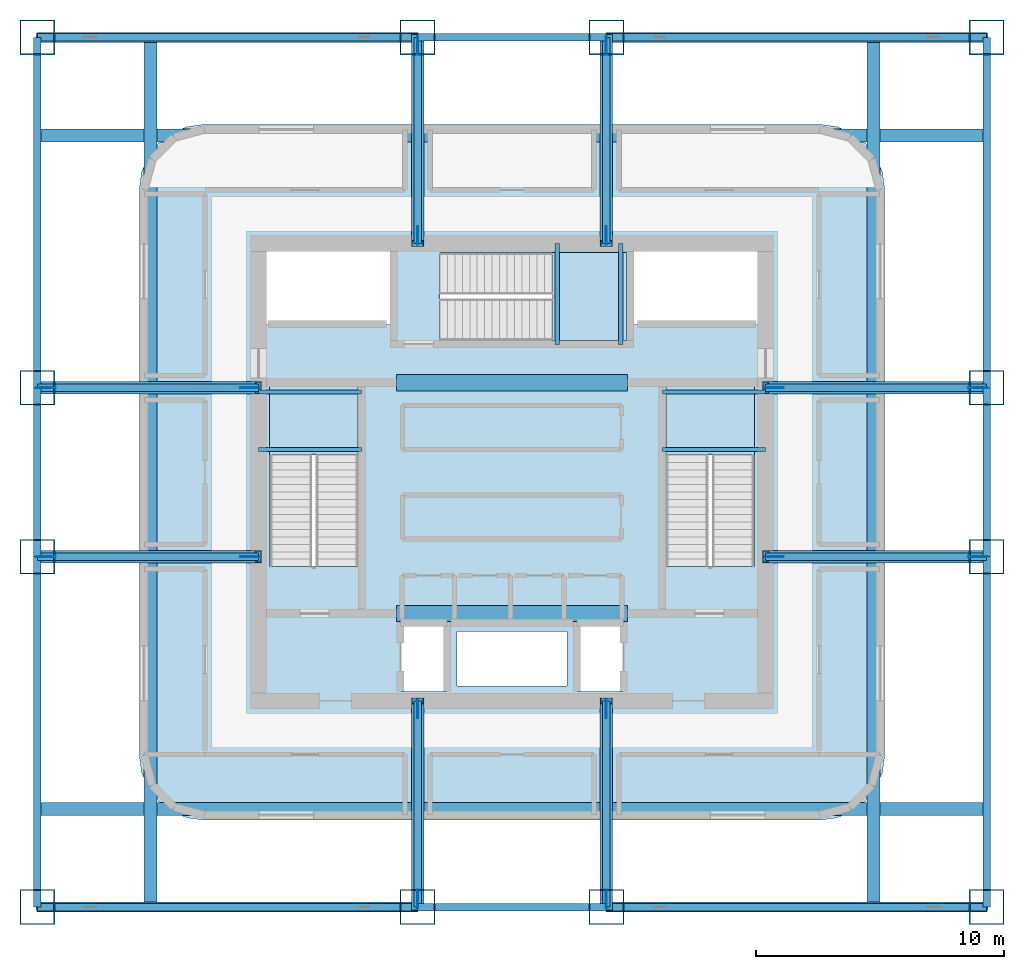
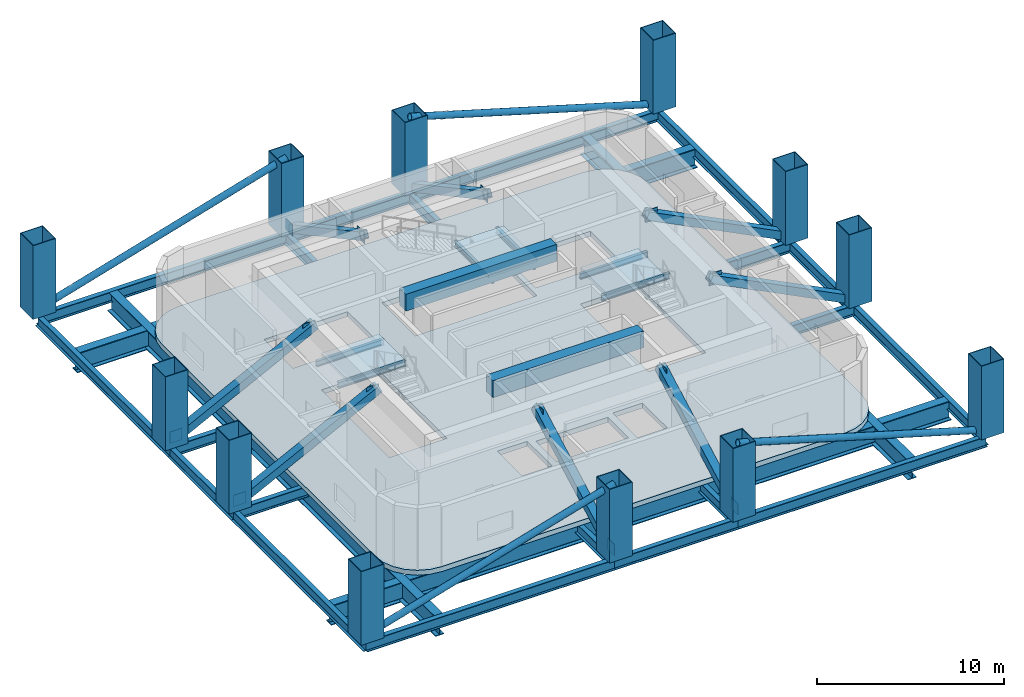
# One storey, part 1 of 9: 32 beams, 16 plates, 12 columns, 12 members, 4 slabs, 3 elements without a shape of their own.
"""IFC4 building model written with IfcOpenShell, lengths in metres."""

from ifc_helpers import new_model, si_unit, direction, frame, origin, origin_2d, place, context, subcontext, project, spatial, polyline, rectangle, hollow_rectangle, hollow_circle, i_section, outline, extrude, material, layer, layer_set, material_profile, profile_set, type_object, element, aggregate, save


model = new_model("IFC4")

# Units and contexts
model_context = context("Model", 3, precision=1e-05, world=origin(), true_north=direction((0.0, 1.0)))
body_context = subcontext(model_context, "Body", "Model", "MODEL_VIEW")
ifc_project = project(units=[si_unit("LENGTHUNIT", "METRE"), si_unit("AREAUNIT", "SQUARE_METRE"), si_unit("VOLUMEUNIT", "CUBIC_METRE"), si_unit("PLANEANGLEUNIT", "RADIAN"), si_unit("MASSUNIT", "GRAM", prefix="KILO")], contexts=[model_context])

# Site, building, storey
site_placement = place(None, origin())
site = spatial("IfcSite", under=ifc_project, at=site_placement, CompositionType="ELEMENT")
building_placement = place(site_placement, origin())
building = spatial("IfcBuilding", under=site, at=building_placement, Name="Punatoya Terracotta Tower", CompositionType="ELEMENT")
storey_placement = place(building_placement, frame((0.0, 0.0, 130.199951171875)))
storey = spatial("IfcBuildingStorey", under=building, at=storey_placement, Name="L30", CompositionType="ELEMENT", Elevation=130.199951171875)

# Columns
ifc_material_1 = material(Name="Steel S460", Category="steel")
ifc_material_profile_1 = material_profile(ifc_material_1, hollow_rectangle(XDim=1.39990234375, YDim=1.39990234375, WallThickness=0.0419921875, at=origin_2d()))
ifc_profile_set_1 = profile_set([ifc_material_profile_1], Name="Steel S460")
column_type = type_object("IfcColumnType", Name="COL-MC-Z2", PredefinedType="COLUMN", material=ifc_profile_set_1)
for number, where, z_axis, x_axis, name in (
    (1, (-19.10009765625, -17.5, 0.0), (0.0, 0.0, 1.0), (1.0, 0.0, 0.0), "L30 Composite Mega-Column MC-01 (3-B)"),
    (2, (-3.800048828125, -17.5, 0.0), (0.0, 0.0, 1.0), (1.0, 0.0, 0.0), "L30 Composite Mega-Column MC-02 (5-B)"),
    (3, (3.800048828125, -17.5, 0.0), (0.0, 0.0, 1.0), (1.0, 0.0, 0.0), "L30 Composite Mega-Column MC-03 (7-B)"),
    (4, (19.10009765625, -17.5, 0.0), (0.0, 0.0, 1.0), (1.0, 0.0, 0.0), "L30 Composite Mega-Column MC-04 (9-B)"),
    (5, (19.10009765625, -3.39990234375, 0.0), (0.0, 0.0, 1.0), (1.0, 0.0, 0.0), "L30 Composite Mega-Column MC-05 (9-D)"),
    (6, (19.10009765625, 3.39990234375, 0.0), (0.0, 0.0, 1.0), (1.0, 0.0, 0.0), "L30 Composite Mega-Column MC-06 (9-E)"),
    (7, (19.10009765625, 17.5, 0.0), (0.0, 0.0, 1.0), (1.0, 0.0, 0.0), "L30 Composite Mega-Column MC-07 (9-G)"),
    (8, (3.800048828125, 17.5, 0.0), (0.0, 0.0, 1.0), (1.0, 0.0, 0.0), "L30 Composite Mega-Column MC-08 (7-G)"),
    (9, (-3.800048828125, 17.5, 0.0), (0.0, 0.0, 1.0), (1.0, 0.0, 0.0), "L30 Composite Mega-Column MC-09 (5-G)"),
    (10, (-19.10009765625, 17.5, 0.0), (0.0, 0.0, 1.0), (1.0, 0.0, 0.0), "L30 Composite Mega-Column MC-10 (3-G)"),
    (11, (-19.10009765625, 3.39990234375, 0.0), (0.0, 0.0, 1.0), (1.0, 0.0, 0.0), "L30 Composite Mega-Column MC-11 (3-E)"),
    (12, (-19.10009765625, -3.39990234375, 0.0), (0.0, 0.0, 1.0), (1.0, 0.0, 0.0), "L30 Composite Mega-Column MC-12 (3-D)"),
):
    element("IfcColumn", number, at=place(storey_placement, frame(where, z_axis=z_axis, x_axis=x_axis)), inside=storey, type_object=column_type, Name=name, PredefinedType="COLUMN", context=body_context, shape_type="SweptSolid", body=[
        extrude(hollow_rectangle(XDim=1.39990234375, YDim=1.39990234375, WallThickness=0.0419921875, at=origin_2d()), origin(), (0.0, 0.0, 1.0), 4.800048828125),
    ])

# Beams
ifc_material_2 = material(Name="Steel S355", Category="steel")
ifc_material_profile_2 = material_profile(ifc_material_2, i_section(OverallWidth=0.300048828125, OverallDepth=0.699951171875, WebThickness=0.01708984375, FlangeThickness=0.031982421875, FilletRadius=0.01806640625, at=origin_2d()))
ifc_profile_set_2 = profile_set([ifc_material_profile_2], Name="Steel S355")
beam_type_1 = type_object("IfcBeamType", Name="BM-PRI-700", PredefinedType="BEAM", material=ifc_profile_set_2)
beam_1_placement = place(storey_placement, frame((-19.10009765625, -17.5, -0.669921875), z_axis=(1.0, 0.0, 0.0), x_axis=(0.0, 1.0, 0.0)))
element("IfcBeam", 13, at=beam_1_placement, inside=storey, type_object=beam_type_1, Name="BM-L30-RG-S1", PredefinedType="BEAM", context=body_context, shape_type="SweptSolid", body=[
    extrude(i_section(OverallWidth=0.300048828125, OverallDepth=0.699951171875, WebThickness=0.01708984375, FlangeThickness=0.031982421875, FilletRadius=0.01806640625, at=origin_2d()), origin(), (0.0, 0.0, 1.0), 15.300048828125),
])
beam_2_placement = place(storey_placement, frame((-3.800048828125, -17.5, -0.669921875), z_axis=(1.0, 0.0, 0.0), x_axis=(0.0, 1.0, 0.0)))
element("IfcBeam", 14, at=beam_2_placement, inside=storey, type_object=beam_type_1, Name="BM-L30-RG-S2", PredefinedType="BEAM", context=body_context, shape_type="SweptSolid", body=[
    extrude(i_section(OverallWidth=0.300048828125, OverallDepth=0.699951171875, WebThickness=0.01708984375, FlangeThickness=0.031982421875, FilletRadius=0.01806640625, at=origin_2d()), origin(), (0.0, 0.0, 1.0), 7.60009765625),
])
for number, where, z_axis, x_axis, name in (
    (15, (3.800048828125, -17.5, -0.669921875), (1.0, 0.0, 0.0), (0.0, 1.0, 0.0), "BM-L30-RG-S3"),
    (16, (-19.10009765625, 17.5, -0.669921875), (1.0, 0.0, 0.0), (0.0, 1.0, 0.0), "BM-L30-RG-N1"),
):
    element("IfcBeam", number, at=place(storey_placement, frame(where, z_axis=z_axis, x_axis=x_axis)), inside=storey, type_object=beam_type_1, Name=name, PredefinedType="BEAM", context=body_context, shape_type="SweptSolid", body=[
        extrude(i_section(OverallWidth=0.300048828125, OverallDepth=0.699951171875, WebThickness=0.01708984375, FlangeThickness=0.031982421875, FilletRadius=0.01806640625, at=origin_2d()), origin(), (0.0, 0.0, 1.0), 15.300048828125),
    ])
beam_3_placement = place(storey_placement, frame((-3.800048828125, 17.5, -0.669921875), z_axis=(1.0, 0.0, 0.0), x_axis=(0.0, 1.0, 0.0)))
element("IfcBeam", 17, at=beam_3_placement, inside=storey, type_object=beam_type_1, Name="BM-L30-RG-N2", PredefinedType="BEAM", context=body_context, shape_type="SweptSolid", body=[
    extrude(i_section(OverallWidth=0.300048828125, OverallDepth=0.699951171875, WebThickness=0.01708984375, FlangeThickness=0.031982421875, FilletRadius=0.01806640625, at=origin_2d()), origin(), (0.0, 0.0, 1.0), 7.60009765625),
])
beam_4_placement = place(storey_placement, frame((3.800048828125, 17.5, -0.669921875), z_axis=(1.0, 0.0, 0.0), x_axis=(0.0, 1.0, 0.0)))
element("IfcBeam", 18, at=beam_4_placement, inside=storey, type_object=beam_type_1, Name="BM-L30-RG-N3", PredefinedType="BEAM", context=body_context, shape_type="SweptSolid", body=[
    extrude(i_section(OverallWidth=0.300048828125, OverallDepth=0.699951171875, WebThickness=0.01708984375, FlangeThickness=0.031982421875, FilletRadius=0.01806640625, at=origin_2d()), origin(), (0.0, 0.0, 1.0), 15.300048828125),
])
beam_5_placement = place(storey_placement, frame((-19.10009765625, -17.5, -0.669921875), z_axis=(0.0, 1.0, 0.0), x_axis=(-1.0, 0.0, 0.0)))
element("IfcBeam", 19, at=beam_5_placement, inside=storey, type_object=beam_type_1, Name="BM-L30-RG-W1", PredefinedType="BEAM", context=body_context, shape_type="SweptSolid", body=[
    extrude(i_section(OverallWidth=0.300048828125, OverallDepth=0.699951171875, WebThickness=0.01708984375, FlangeThickness=0.031982421875, FilletRadius=0.01806640625, at=origin_2d()), origin(), (0.0, 0.0, 1.0), 14.10009765625),
])
beam_6_placement = place(storey_placement, frame((-19.10009765625, -3.39990234375, -0.669921875), z_axis=(0.0, 1.0, 0.0), x_axis=(-1.0, 0.0, 0.0)))
element("IfcBeam", 20, at=beam_6_placement, inside=storey, type_object=beam_type_1, Name="BM-L30-RG-W2", PredefinedType="BEAM", context=body_context, shape_type="SweptSolid", body=[
    extrude(i_section(OverallWidth=0.300048828125, OverallDepth=0.699951171875, WebThickness=0.01708984375, FlangeThickness=0.031982421875, FilletRadius=0.01806640625, at=origin_2d()), origin(), (0.0, 0.0, 1.0), 6.7998046875),
])
for number, where, z_axis, x_axis, name in (
    (21, (-19.10009765625, 3.39990234375, -0.669921875), (0.0, 1.0, 0.0), (-1.0, 0.0, 0.0), "BM-L30-RG-W3"),
    (22, (19.10009765625, -17.5, -0.669921875), (0.0, 1.0, 0.0), (-1.0, 0.0, 0.0), "BM-L30-RG-E1"),
):
    element("IfcBeam", number, at=place(storey_placement, frame(where, z_axis=z_axis, x_axis=x_axis)), inside=storey, type_object=beam_type_1, Name=name, PredefinedType="BEAM", context=body_context, shape_type="SweptSolid", body=[
        extrude(i_section(OverallWidth=0.300048828125, OverallDepth=0.699951171875, WebThickness=0.01708984375, FlangeThickness=0.031982421875, FilletRadius=0.01806640625, at=origin_2d()), origin(), (0.0, 0.0, 1.0), 14.10009765625),
    ])
beam_7_placement = place(storey_placement, frame((19.10009765625, -3.39990234375, -0.669921875), z_axis=(0.0, 1.0, 0.0), x_axis=(-1.0, 0.0, 0.0)))
element("IfcBeam", 23, at=beam_7_placement, inside=storey, type_object=beam_type_1, Name="BM-L30-RG-E2", PredefinedType="BEAM", context=body_context, shape_type="SweptSolid", body=[
    extrude(i_section(OverallWidth=0.300048828125, OverallDepth=0.699951171875, WebThickness=0.01708984375, FlangeThickness=0.031982421875, FilletRadius=0.01806640625, at=origin_2d()), origin(), (0.0, 0.0, 1.0), 6.7998046875),
])
beam_8_placement = place(storey_placement, frame((19.10009765625, 3.39990234375, -0.669921875), z_axis=(0.0, 1.0, 0.0), x_axis=(-1.0, 0.0, 0.0)))
element("IfcBeam", 24, at=beam_8_placement, inside=storey, type_object=beam_type_1, Name="BM-L30-RG-E3", PredefinedType="BEAM", context=body_context, shape_type="SweptSolid", body=[
    extrude(i_section(OverallWidth=0.300048828125, OverallDepth=0.699951171875, WebThickness=0.01708984375, FlangeThickness=0.031982421875, FilletRadius=0.01806640625, at=origin_2d()), origin(), (0.0, 0.0, 1.0), 14.10009765625),
])
for number, where, z_axis, x_axis, name in (
    (25, (-19.10009765625, -3.39990234375, -0.669921875), (1.0, 0.0, 0.0), (0.0, 1.0, 0.0), "BM-L30-PR-WD"),
    (26, (-19.10009765625, 3.39990234375, -0.669921875), (1.0, 0.0, 0.0), (0.0, 1.0, 0.0), "BM-L30-PR-WE"),
    (27, (10.199951171875, -3.39990234375, -0.669921875), (1.0, 0.0, 0.0), (0.0, 1.0, 0.0), "BM-L30-PR-ED"),
    (28, (10.199951171875, 3.39990234375, -0.669921875), (1.0, 0.0, 0.0), (0.0, 1.0, 0.0), "BM-L30-PR-EE"),
):
    element("IfcBeam", number, at=place(storey_placement, frame(where, z_axis=z_axis, x_axis=x_axis)), inside=storey, type_object=beam_type_1, Name=name, PredefinedType="BEAM", context=body_context, shape_type="SweptSolid", body=[
        extrude(i_section(OverallWidth=0.300048828125, OverallDepth=0.699951171875, WebThickness=0.01708984375, FlangeThickness=0.031982421875, FilletRadius=0.01806640625, at=origin_2d()), origin(), (0.0, 0.0, 1.0), 8.900146484375),
    ])
for number, where, z_axis, x_axis, name in (
    (29, (-3.800048828125, -17.5, -0.669921875), (0.0, 1.0, 0.0), (-1.0, 0.0, 0.0), "BM-L30-PR-S2"),
    (30, (3.800048828125, -17.5, -0.669921875), (0.0, 1.0, 0.0), (-1.0, 0.0, 0.0), "BM-L30-PR-S3"),
    (31, (-3.800048828125, 9.199951171875, -0.669921875), (0.0, 1.0, 0.0), (-1.0, 0.0, 0.0), "BM-L30-PR-N2"),
    (32, (3.800048828125, 9.199951171875, -0.669921875), (0.0, 1.0, 0.0), (-1.0, 0.0, 0.0), "BM-L30-PR-N3"),
):
    element("IfcBeam", number, at=place(storey_placement, frame(where, z_axis=z_axis, x_axis=x_axis)), inside=storey, type_object=beam_type_1, Name=name, PredefinedType="BEAM", context=body_context, shape_type="SweptSolid", body=[
        extrude(i_section(OverallWidth=0.300048828125, OverallDepth=0.699951171875, WebThickness=0.01708984375, FlangeThickness=0.031982421875, FilletRadius=0.01806640625, at=origin_2d()), origin(), (0.0, 0.0, 1.0), 8.300048828125),
    ])
ifc_material_3 = material(Name="Concrete C60/75", Category="concrete")
ifc_material_profile_3 = material_profile(ifc_material_3, rectangle(XDim=0.64990234375, YDim=1.10009765625, at=origin_2d()))
ifc_profile_set_3 = profile_set([ifc_material_profile_3], Name="Concrete C60/75")
beam_type_2 = type_object("IfcBeamType", Name="BM-RC-1100", PredefinedType="LINTEL", material=ifc_profile_set_3)
for number, where, z_axis, x_axis, name in (
    (33, (-4.64990234375, -5.679931640625, 3.989990234375), (1.0, 0.0, 0.0), (0.0, 1.0, 0.0), "L30 Core Coupling Lintel CSW"),
    (34, (-4.64990234375, 3.60009765625, 3.989990234375), (1.0, 0.0, 0.0), (0.0, 1.0, 0.0), "L30 Core Coupling Lintel CNW"),
):
    element("IfcBeam", number, at=place(storey_placement, frame(where, z_axis=z_axis, x_axis=x_axis)), inside=storey, type_object=beam_type_2, Name=name, PredefinedType="LINTEL", context=body_context, shape_type="SweptSolid", body=[
        extrude(rectangle(XDim=0.64990234375, YDim=1.10009765625, at=origin_2d()), origin(), (0.0, 0.0, 1.0), 9.2998046875),
    ])
ifc_material_profile_4 = material_profile(ifc_material_2, i_section(OverallWidth=0.169921875, OverallDepth=0.360107421875, WebThickness=0.008056640625, FlangeThickness=0.0126953125, FilletRadius=0.01806640625, at=origin_2d()))
ifc_profile_set_4 = profile_set([ifc_material_profile_4], Name="Steel S355")
beam_type_3 = type_object("IfcBeamType", Name="BM-SEC-360", PredefinedType="JOIST", material=ifc_profile_set_4)
for number, where, z_axis, x_axis, name in (
    (35, (-10.199951171875, 0.919921875, 2.02001953125), (1.0, 0.0, 0.0), (0.0, 1.0, 0.0), "BM-L30-ST-1-LD1A"),
    (36, (-10.199951171875, 3.22998046875, 2.02001953125), (1.0, 0.0, 0.0), (0.0, 1.0, 0.0), "BM-L30-ST-1-LD1B"),
    (37, (6.050048828125, 0.919921875, 2.02001953125), (1.0, 0.0, 0.0), (0.0, 1.0, 0.0), "BM-L30-ST-2-LD1A"),
    (38, (6.050048828125, 3.22998046875, 2.02001953125), (1.0, 0.0, 0.0), (0.0, 1.0, 0.0), "BM-L30-ST-2-LD1B"),
):
    element("IfcBeam", number, at=place(storey_placement, frame(where, z_axis=z_axis, x_axis=x_axis)), inside=storey, type_object=beam_type_3, Name=name, PredefinedType="JOIST", context=body_context, shape_type="SweptSolid", body=[
        extrude(i_section(OverallWidth=0.169921875, OverallDepth=0.360107421875, WebThickness=0.008056640625, FlangeThickness=0.0126953125, FilletRadius=0.01806640625, at=origin_2d()), origin(), (0.0, 0.0, 1.0), 4.14990234375),
    ])
for number, where, z_axis, x_axis, name in (
    (39, (1.820068359375, 5.14990234375, 2.02001953125), (0.0, 1.0, 0.0), (-1.0, 0.0, 0.0), "BM-L30-ST-3-LD1A"),
    (40, (4.3798828125, 5.14990234375, 2.02001953125), (0.0, 1.0, 0.0), (-1.0, 0.0, 0.0), "BM-L30-ST-3-LD1B"),
):
    element("IfcBeam", number, at=place(storey_placement, frame(where, z_axis=z_axis, x_axis=x_axis)), inside=storey, type_object=beam_type_3, Name=name, PredefinedType="JOIST", context=body_context, shape_type="SweptSolid", body=[
        extrude(i_section(OverallWidth=0.169921875, OverallDepth=0.360107421875, WebThickness=0.008056640625, FlangeThickness=0.0126953125, FilletRadius=0.01806640625, at=origin_2d()), origin(), (0.0, 0.0, 1.0), 4.050048828125),
    ])
ifc_material_profile_5 = material_profile(ifc_material_1, i_section(OverallWidth=0.52001953125, OverallDepth=1.280029296875, WebThickness=0.031982421875, FlangeThickness=0.050048828125, FilletRadius=0.01806640625, at=origin_2d()))
ifc_profile_set_5 = profile_set([ifc_material_profile_5], Name="Steel S460")
beam_type_4 = type_object("IfcBeamType", Name="BM-TG-NCK", PredefinedType="BEAM", material=ifc_profile_set_5)
for number, where, z_axis, x_axis, name in (
    (41, (-19.10009765625, -13.550048828125, -0.9599609375), (1.0, 0.0, 0.0), (0.0, 1.0, 0.0), "BM-L30-NCK-S"),
    (42, (-19.10009765625, 13.550048828125, -0.9599609375), (1.0, 0.0, 0.0), (0.0, 1.0, 0.0), "BM-L30-NCK-N"),
):
    element("IfcBeam", number, at=place(storey_placement, frame(where, z_axis=z_axis, x_axis=x_axis)), inside=storey, type_object=beam_type_4, Name=name, PredefinedType="BEAM", context=body_context, shape_type="SweptSolid", body=[
        extrude(i_section(OverallWidth=0.52001953125, OverallDepth=1.280029296875, WebThickness=0.031982421875, FlangeThickness=0.050048828125, FilletRadius=0.01806640625, at=origin_2d()), origin(), (0.0, 0.0, 1.0), 38.2001953125),
    ])
for number, where, z_axis, x_axis, name in (
    (43, (-14.550048828125, -17.5, -0.9599609375), (0.0, 1.0, 0.0), (-1.0, 0.0, 0.0), "BM-L30-NCK-W"),
    (44, (14.550048828125, -17.5, -0.9599609375), (0.0, 1.0, 0.0), (-1.0, 0.0, 0.0), "BM-L30-NCK-E"),
):
    element("IfcBeam", number, at=place(storey_placement, frame(where, z_axis=z_axis, x_axis=x_axis)), inside=storey, type_object=beam_type_4, Name=name, PredefinedType="BEAM", context=body_context, shape_type="SweptSolid", body=[
        extrude(i_section(OverallWidth=0.52001953125, OverallDepth=1.280029296875, WebThickness=0.031982421875, FlangeThickness=0.050048828125, FilletRadius=0.01806640625, at=origin_2d()), origin(), (0.0, 0.0, 1.0), 35.0),
    ])

# Members
ifc_material_profile_6 = material_profile(ifc_material_1, hollow_circle(Radius=0.202880859375, WallThickness=0.02001953125, at=origin_2d()))
ifc_profile_set_6 = profile_set([ifc_material_profile_6], Name="Steel S460")
member_type_1 = type_object("IfcMemberType", Name="MEM-NCK-CHS", PredefinedType="STRUT", material=ifc_profile_set_6)
for number, where, z_axis, x_axis, name in (
    (45, (-19.10009765625, -17.5, 0.02001953125), (0.959365745336, 0.0, 0.28216549519), (0.0, 1.0, 0.0), "L30 Baradari Colonnade Ring Strut NST-1"),
    (46, (3.800048828125, -17.5, 4.52001953125), (0.959365745336, 0.0, -0.28216549519), (0.0, 1.0, 0.0), "L30 Baradari Colonnade Ring Strut NST-2"),
    (47, (-19.10009765625, 17.5, 0.02001953125), (0.959365745336, 0.0, 0.28216549519), (0.0, 1.0, 0.0), "L30 Baradari Colonnade Ring Strut NST-3"),
    (48, (3.800048828125, 17.5, 4.52001953125), (0.959365745336, 0.0, -0.28216549519), (0.0, 1.0, 0.0), "L30 Baradari Colonnade Ring Strut NST-4"),
):
    element("IfcMember", number, at=place(storey_placement, frame(where, z_axis=z_axis, x_axis=x_axis)), inside=storey, type_object=member_type_1, Name=name, PredefinedType="STRUT", context=body_context, shape_type="SweptSolid", body=[
        extrude(hollow_circle(Radius=0.202880859375, WallThickness=0.02001953125, at=origin_2d()), origin(), (0.0, 0.0, 1.0), 15.947998046875),
    ])
ifc_material_profile_7 = material_profile(ifc_material_1, hollow_rectangle(XDim=0.5, YDim=0.5, WallThickness=0.028076171875, at=origin_2d()))
ifc_profile_set_7 = profile_set([ifc_material_profile_7], Name="Steel S460")
member_type_2 = type_object("IfcMemberType", Name="MEM-OUT-500", PredefinedType="BRACE", material=ifc_profile_set_7)
for number, where, z_axis, x_axis, name in (
    (49, (-10.199951171875, -3.39990234375, 4.52001953125), (-0.892415766593, 0.0, -0.451214028524), (0.0, -1.0, 0.0), "L30 Outrigger Truss Diagonal WS"),
    (50, (-10.199951171875, 3.39990234375, 4.52001953125), (-0.892415766593, 0.0, -0.451214028524), (0.0, -1.0, 0.0), "L30 Outrigger Truss Diagonal WN"),
    (51, (10.199951171875, -3.39990234375, 4.52001953125), (0.892415766593, 0.0, -0.451214028524), (0.0, 1.0, 0.0), "L30 Outrigger Truss Diagonal ES"),
    (52, (10.199951171875, 3.39990234375, 4.52001953125), (0.892415766593, 0.0, -0.451214028524), (0.0, 1.0, 0.0), "L30 Outrigger Truss Diagonal EN"),
):
    element("IfcMember", number, at=place(storey_placement, frame(where, z_axis=z_axis, x_axis=x_axis)), inside=storey, type_object=member_type_2, Name=name, PredefinedType="BRACE", context=body_context, shape_type="SweptSolid", body=[
        extrude(hollow_rectangle(XDim=0.5, YDim=0.5, WallThickness=0.028076171875, at=origin_2d()), origin(), (0.0, 0.0, 1.0), 9.97314453125),
    ])
for number, where, z_axis, x_axis, name in (
    (53, (-3.800048828125, -9.199951171875, 4.52001953125), (0.0, -0.879108254421, -0.476622153292), (1.0, 0.0, 0.0), "L30 Outrigger Truss Diagonal SW"),
    (54, (3.800048828125, -9.199951171875, 4.52001953125), (0.0, -0.879108254421, -0.476622153292), (1.0, 0.0, 0.0), "L30 Outrigger Truss Diagonal SE"),
    (55, (-3.800048828125, 9.199951171875, 4.52001953125), (0.0, 0.879108254421, -0.476622153292), (-1.0, 0.0, 0.0), "L30 Outrigger Truss Diagonal NW"),
    (56, (3.800048828125, 9.199951171875, 4.52001953125), (0.0, 0.879108254421, -0.476622153292), (-1.0, 0.0, 0.0), "L30 Outrigger Truss Diagonal NE"),
):
    element("IfcMember", number, at=place(storey_placement, frame(where, z_axis=z_axis, x_axis=x_axis)), inside=storey, type_object=member_type_2, Name=name, PredefinedType="BRACE", context=body_context, shape_type="SweptSolid", body=[
        extrude(hollow_rectangle(XDim=0.5, YDim=0.5, WallThickness=0.028076171875, at=origin_2d()), origin(), (0.0, 0.0, 1.0), 9.44140625),
    ])

# Plates
ifc_layer_1 = layer(ifc_material_1, 0.035888671875)
ifc_layer_set_1 = layer_set([ifc_layer_1], Name="Steel S460")
plate_type = type_object("IfcPlateType", Name="PLT-GUS-36", PredefinedType="USERDEFINED", material=ifc_layer_set_1)
for number, where, z_axis, x_axis, name in (
    (57, (-10.555908203125, -3.39990234375, 3.965087890625), (0.0, 0.0, 1.0), (1.0, 0.0, 0.0), "L30 Outrigger Core Gusset Plate WS"),
    (58, (-18.743896484375, -3.39990234375, -0.175048828125), (0.0, 0.0, 1.0), (1.0, 0.0, 0.0), "L30 Outrigger Mega-Column Gusset Plate WS"),
    (59, (-10.555908203125, 3.39990234375, 3.965087890625), (0.0, 0.0, 1.0), (1.0, 0.0, 0.0), "L30 Outrigger Core Gusset Plate WN"),
    (60, (-18.743896484375, 3.39990234375, -0.175048828125), (0.0, 0.0, 1.0), (1.0, 0.0, 0.0), "L30 Outrigger Mega-Column Gusset Plate WN"),
    (61, (10.555908203125, -3.39990234375, 3.965087890625), (0.0, 0.0, 1.0), (1.0, 0.0, 0.0), "L30 Outrigger Core Gusset Plate ES"),
    (62, (18.743896484375, -3.39990234375, -0.175048828125), (0.0, 0.0, 1.0), (1.0, 0.0, 0.0), "L30 Outrigger Mega-Column Gusset Plate ES"),
    (63, (10.555908203125, 3.39990234375, 3.965087890625), (0.0, 0.0, 1.0), (1.0, 0.0, 0.0), "L30 Outrigger Core Gusset Plate EN"),
    (64, (18.743896484375, 3.39990234375, -0.175048828125), (0.0, 0.0, 1.0), (1.0, 0.0, 0.0), "L30 Outrigger Mega-Column Gusset Plate EN"),
    (65, (-3.800048828125, -9.531982421875, 3.965087890625), (0.0, 0.0, 1.0), (0.0, 1.0, 0.0), "L30 Outrigger Core Gusset Plate SW"),
    (66, (-3.800048828125, -17.16796875, -0.175048828125), (0.0, 0.0, 1.0), (0.0, 1.0, 0.0), "L30 Outrigger Mega-Column Gusset Plate SW"),
    (67, (3.800048828125, -9.531982421875, 3.965087890625), (0.0, 0.0, 1.0), (0.0, 1.0, 0.0), "L30 Outrigger Core Gusset Plate SE"),
    (68, (3.800048828125, -17.16796875, -0.175048828125), (0.0, 0.0, 1.0), (0.0, 1.0, 0.0), "L30 Outrigger Mega-Column Gusset Plate SE"),
    (69, (-3.800048828125, 9.531982421875, 3.965087890625), (0.0, 0.0, 1.0), (0.0, 1.0, 0.0), "L30 Outrigger Core Gusset Plate NW"),
    (70, (-3.800048828125, 17.16796875, -0.175048828125), (0.0, 0.0, 1.0), (0.0, 1.0, 0.0), "L30 Outrigger Mega-Column Gusset Plate NW"),
    (71, (3.800048828125, 9.531982421875, 3.965087890625), (0.0, 0.0, 1.0), (0.0, 1.0, 0.0), "L30 Outrigger Core Gusset Plate NE"),
    (72, (3.800048828125, 17.16796875, -0.175048828125), (0.0, 0.0, 1.0), (0.0, 1.0, 0.0), "L30 Outrigger Mega-Column Gusset Plate NE"),
):
    element("IfcPlate", number, at=place(storey_placement, frame(where, z_axis=z_axis, x_axis=x_axis)), inside=storey, type_object=plate_type, Name=name, ObjectType="GUSSET_PLATE", PredefinedType="USERDEFINED", context=body_context, shape_type="SweptSolid", body=[
        extrude(rectangle(XDim=0.75, YDim=0.035888671875, at=origin_2d()), origin(), (0.0, 0.0, 1.0), 0.75),
    ])

# Stair, slab
ifc_material_4 = material(Name="Concrete C40/50", Category="concrete")
stair_type_1 = type_object("IfcStairType", Name="STR-TER-1450", PredefinedType="HALF_TURN_STAIR", material=ifc_material_4)
stair_1_placement = place(storey_placement, origin())
stair_1 = element("IfcStair", 73, at=stair_1_placement, inside=storey, type_object=stair_type_1, Name="L30 Protected Core Exit Stair ST-3", PredefinedType="HALF_TURN_STAIR")
ifc_layer_2 = layer(ifc_material_4, 0.1650390625)
ifc_layer_set_2 = layer_set([ifc_layer_2], Name="Concrete C40/50")
slab_type_1 = type_object("IfcSlabType", Name="SLB-LND-165", PredefinedType="LANDING", material=ifc_layer_set_2)
slab_1_placement = place(storey_placement, frame((0.0, 0.0, 2.199951171875)))
slab_1 = element("IfcSlab", 74, at=slab_1_placement, type_object=slab_type_1, Name="ST-3 landing 1", PredefinedType="LANDING", context=body_context, shape_type="SweptSolid", body=[
    extrude(outline(polyline([(1.60009765625, 5.300048828125), (4.60009765625, 5.300048828125), (4.60009765625, 8.85009765625), (1.60009765625, 8.85009765625), (1.60009765625, 5.300048828125)])), origin(), (0.0, 0.0, 1.0), 0.2001953125),
])
aggregate(stair_1, [slab_1])

stair_type_2 = type_object("IfcStairType", Name="STR-CORE-1550", PredefinedType="HALF_TURN_STAIR", material=ifc_material_4)
stair_2_placement = place(storey_placement, origin())
stair_2 = element("IfcStair", 75, at=stair_2_placement, inside=storey, type_object=stair_type_2, Name="L30 Protected Core Exit Stair ST-1", PredefinedType="HALF_TURN_STAIR")
ifc_layer_3 = layer(ifc_material_4, 0.179931640625)
ifc_layer_set_3 = layer_set([ifc_layer_3], Name="Concrete C40/50")
slab_type_2 = type_object("IfcSlabType", Name="SLB-LND-180", PredefinedType="LANDING", material=ifc_layer_set_3)
slab_2_placement = place(storey_placement, frame((0.0, 0.0, 2.199951171875)))
slab_2 = element("IfcSlab", 76, at=slab_2_placement, type_object=slab_type_2, Name="ST-1 landing 1", PredefinedType="LANDING", context=body_context, shape_type="SweptSolid", body=[
    extrude(outline(polyline([(-6.199951171875, 0.699951171875), (-6.199951171875, 3.449951171875), (-9.75, 3.449951171875), (-9.75, 0.699951171875), (-6.199951171875, 0.699951171875)])), origin(), (0.0, 0.0, 1.0), 0.2001953125),
])
aggregate(stair_2, [slab_2])

stair_type_3 = type_object("IfcStairType", Name="STR-LOB-1650", PredefinedType="HALF_TURN_STAIR", material=ifc_material_4)
stair_3_placement = place(storey_placement, origin())
stair_3 = element("IfcStair", 77, at=stair_3_placement, inside=storey, type_object=stair_type_3, Name="L30 Protected Core Exit Stair ST-2", PredefinedType="HALF_TURN_STAIR")
slab_3_placement = place(storey_placement, frame((0.0, 0.0, 2.199951171875)))
slab_3 = element("IfcSlab", 78, at=slab_3_placement, type_object=slab_type_2, Name="ST-2 landing 1", PredefinedType="LANDING", context=body_context, shape_type="SweptSolid", body=[
    extrude(outline(polyline([(9.75, 0.699951171875), (9.75, 3.449951171875), (6.199951171875, 3.449951171875), (6.199951171875, 0.699951171875), (9.75, 0.699951171875)])), origin(), (0.0, 0.0, 1.0), 0.2001953125),
])
aggregate(stair_3, [slab_3])

# Slab
ifc_layer_4 = layer(ifc_material_4, 0.320068359375)
ifc_layer_set_4 = layer_set([ifc_layer_4], Name="Concrete C40/50")
slab_type_3 = type_object("IfcSlabType", Name="SLB-PLT-320", PredefinedType="FLOOR", material=ifc_layer_set_4)
slab_4_placement = place(storey_placement, frame((0.0, 0.0, -0.320068359375)))
element("IfcSlab", 79, at=slab_4_placement, inside=storey, type_object=slab_type_3, Name="L30 Structural Floor Slab", PredefinedType="FLOOR", context=body_context, shape_type="SweptSolid", body=[
    extrude(outline(polyline([(-12.39990234375, -14.0), (-13.072998046875, -13.911376953125), (-13.699951171875, -13.651611328125), (-14.238525390625, -13.238525390625), (-14.651611328125, -12.699951171875), (-14.911376953125, -12.072998046875), (-15.0, -11.39990234375), (-15.0, 11.39990234375), (-14.911376953125, 12.072998046875), (-14.651611328125, 12.699951171875), (-14.238525390625, 13.238525390625), (-13.699951171875, 13.651611328125), (-13.072998046875, 13.911376953125), (-12.39990234375, 14.0), (12.39990234375, 14.0), (13.072998046875, 13.911376953125), (13.699951171875, 13.651611328125), (14.238525390625, 13.238525390625), (14.651611328125, 12.699951171875), (14.911376953125, 12.072998046875), (15.0, 11.39990234375), (15.0, -11.39990234375), (14.911376953125, -12.072998046875), (14.651611328125, -12.699951171875), (14.238525390625, -13.238525390625), (13.699951171875, -13.651611328125), (13.072998046875, -13.911376953125), (12.39990234375, -14.0), (-12.39990234375, -14.0)]), holes=[polyline([(-2.6298828125, -6.179931640625), (-4.469970703125, -6.179931640625), (-4.469970703125, -8.820068359375), (-2.6298828125, -8.820068359375), (-2.6298828125, -6.179931640625)]), polyline([(-0.02001953125, -6.405029296875), (-2.219970703125, -6.405029296875), (-2.219970703125, -8.594970703125), (-0.02001953125, -8.594970703125), (0.02001953125, -8.594970703125), (2.219970703125, -8.594970703125), (2.219970703125, -6.405029296875), (0.02001953125, -6.405029296875), (-0.02001953125, -6.405029296875)]), polyline([(4.469970703125, -6.179931640625), (2.6298828125, -6.179931640625), (2.6298828125, -8.820068359375), (4.469970703125, -8.820068359375), (4.469970703125, -6.179931640625)]), polyline([(-9.75, 3.449951171875), (-9.75, -3.79931640625), (-6.199951171875, -3.79931640625), (-6.199951171875, 3.449951171875), (-9.75, 3.449951171875)]), polyline([(6.199951171875, 3.449951171875), (6.199951171875, -3.79931640625), (9.75, -3.79931640625), (9.75, 3.449951171875), (6.199951171875, 3.449951171875)]), polyline([(4.60009765625, 8.85009765625), (-2.899169921875, 8.85009765625), (-2.899169921875, 5.300048828125), (4.60009765625, 5.300048828125), (4.60009765625, 8.85009765625)]), polyline([(-4.89990234375, 5.949951171875), (-4.89990234375, 9.050048828125), (-10.050048828125, 9.050048828125), (-10.050048828125, 5.949951171875), (-4.89990234375, 5.949951171875)]), polyline([(10.050048828125, 5.949951171875), (10.050048828125, 9.050048828125), (4.89990234375, 9.050048828125), (4.89990234375, 5.949951171875), (10.050048828125, 5.949951171875)])]), origin(), (0.0, 0.0, 1.0), 0.320068359375),
])

save(model, "model.ifc")
